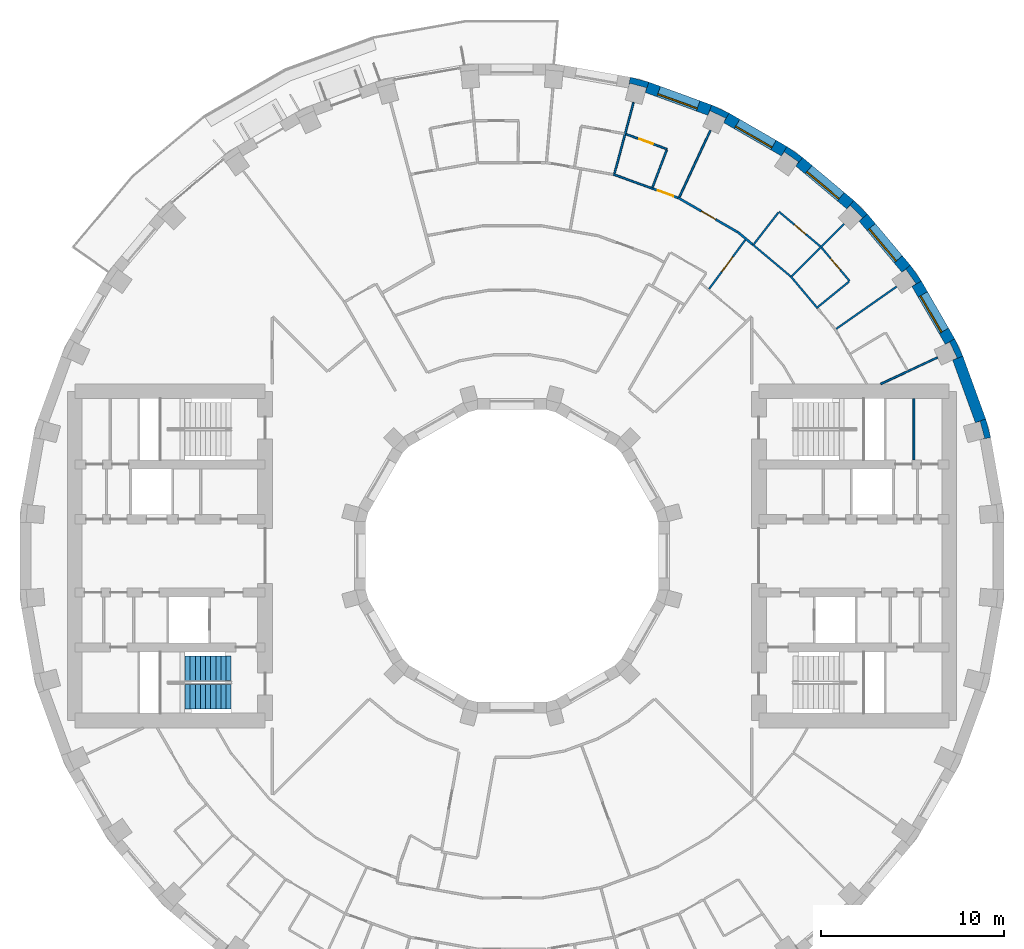
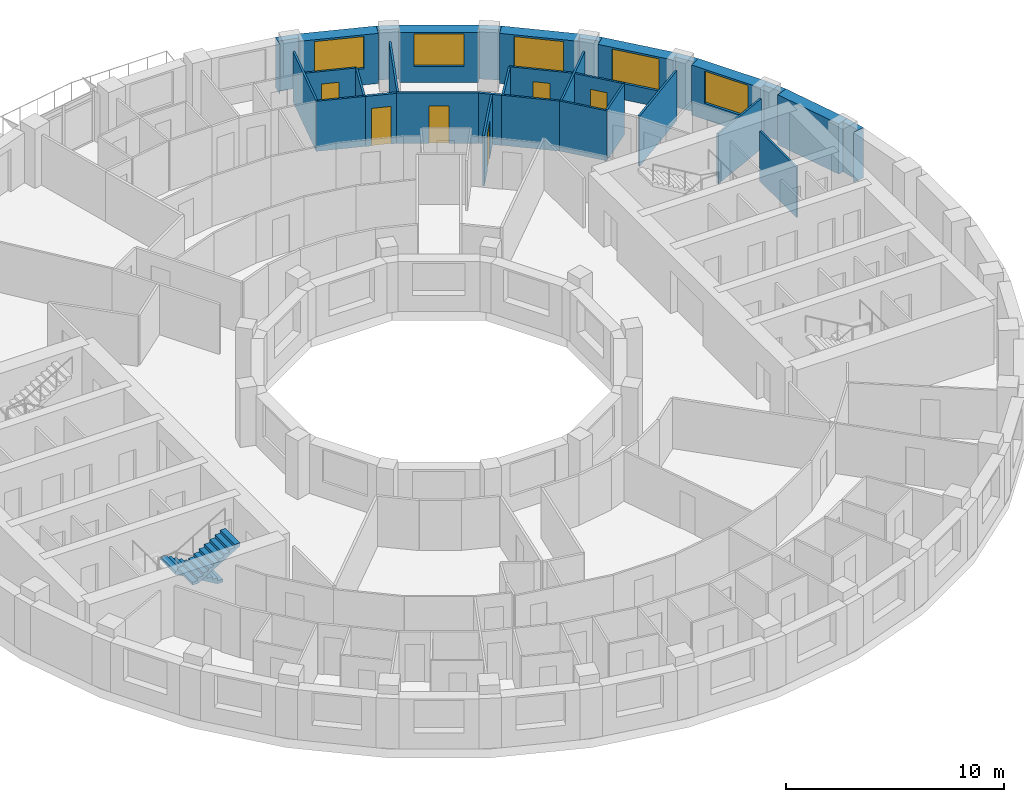
# One storey, part 12 of 14: 32 walls, 6 doors, 5 windows, 2 stair flights, 11 openings, 1 element without a shape of its own.
"""IFC4 building model written with IfcOpenShell, lengths in metres."""

from ifc_helpers import new_model, si_unit, direction, frame, frame_2d, origin, place, context, subcontext, project, spatial, polyline, rectangle, outline, extrude, material, layer, layer_set, type_object, element, fill, aggregate, save


model = new_model("IFC4")

# Units and contexts
model_context = context("Model", 3, precision=1e-05, world=origin(), true_north=direction((0.0, 1.0)))
body_context = subcontext(model_context, "Body", "Model", "MODEL_VIEW")
ifc_project = project(units=[si_unit("LENGTHUNIT", "METRE"), si_unit("AREAUNIT", "SQUARE_METRE"), si_unit("VOLUMEUNIT", "CUBIC_METRE"), si_unit("PLANEANGLEUNIT", "RADIAN"), si_unit("MASSUNIT", "GRAM", prefix="KILO")], contexts=[model_context])

# Site, building, storey
site_placement = place(None, origin())
site = spatial("IfcSite", under=ifc_project, at=site_placement, CompositionType="ELEMENT")
building_placement = place(site_placement, origin())
building = spatial("IfcBuilding", under=site, at=building_placement, Name="Saqina Gate Tower", CompositionType="ELEMENT")
storey_placement = place(building_placement, frame((0.0, 0.0, 91.89990234375)))
storey = spatial("IfcBuildingStorey", under=building, at=storey_placement, Name="L25", CompositionType="ELEMENT", Elevation=91.89990234375)

# Walls
ifc_material_1 = material(Name="Brick masonry (buff)", Category="masonry")
wall_type_1 = type_object("IfcWallType", Name="BRICK PIER COPING BUFF", PredefinedType="SOLIDWALL", material=ifc_material_1)
wall_1_placement = place(storey_placement, origin())
element("IfcWall", 1, at=wall_1_placement, inside=storey, type_object=wall_type_1, Name="Pier cap L25 column 2", PredefinedType="SOLIDWALL", context=body_context, shape_type="SweptSolid", body=[
    extrude(outline(polyline([(26.171875, 6.466796875), (25.89892578125, 7.485595703125), (25.335205078125, 7.2802734375), (25.5947265625, 7.349853515625), (25.8408203125, 6.43212890625), (25.5810546875, 6.36279296875), (26.171875, 6.466796875)])), origin(), (0.0, 0.0, 1.0), 2.800048828125),
])
wall_2_placement = place(storey_placement, origin())
element("IfcWall", 2, at=wall_2_placement, inside=storey, type_object=wall_type_1, Name="Pier cap L25 column 3", PredefinedType="SOLIDWALL", context=body_context, shape_type="SweptSolid", body=[
    extrude(outline(polyline([(24.6513671875, 10.913330078125), (24.205810546875, 11.869140625), (23.68603515625, 11.569091796875), (23.9296875, 11.6826171875), (24.331298828125, 10.82177734375), (24.08740234375, 10.7080078125), (24.6513671875, 10.913330078125)])), origin(), (0.0, 0.0, 1.0), 2.800048828125),
])
wall_3_placement = place(storey_placement, origin())
element("IfcWall", 3, at=wall_3_placement, inside=storey, type_object=wall_type_1, Name="Pier cap L25 column 4", PredefinedType="SOLIDWALL", context=body_context, shape_type="SweptSolid", body=[
    extrude(outline(polyline([(21.77685546875, 15.89208984375), (21.317138671875, 15.50634765625), (21.53759765625, 15.66064453125), (22.08251953125, 14.88232421875), (21.862060546875, 14.728271484375), (22.3818359375, 15.0283203125), (21.77685546875, 15.89208984375)])), origin(), (0.0, 0.0, 1.0), 2.800048828125),
])
wall_4_placement = place(storey_placement, origin())
element("IfcWall", 4, at=wall_4_placement, inside=storey, type_object=wall_type_1, Name="Pier cap L25 column 5", PredefinedType="SOLIDWALL", context=body_context, shape_type="SweptSolid", body=[
    extrude(outline(polyline([(19.43212890625, 18.686279296875), (18.686279296875, 19.43212890625), (18.30078125, 18.972412109375), (18.49072265625, 19.16259765625), (19.16259765625, 18.49072265625), (18.972412109375, 18.30078125), (19.43212890625, 18.686279296875)])), origin(), (0.0, 0.0, 1.0), 2.800048828125),
])
wall_5_placement = place(storey_placement, origin())
element("IfcWall", 5, at=wall_5_placement, inside=storey, type_object=wall_type_1, Name="Pier cap L25 column 6", PredefinedType="SOLIDWALL", context=body_context, shape_type="SweptSolid", body=[
    extrude(outline(polyline([(15.0283203125, 22.3818359375), (14.728271484375, 21.862060546875), (14.88232421875, 22.08251953125), (15.66064453125, 21.53759765625), (15.50634765625, 21.317138671875), (15.89208984375, 21.77685546875), (15.0283203125, 22.3818359375)])), origin(), (0.0, 0.0, 1.0), 2.800048828125),
])
wall_6_placement = place(storey_placement, origin())
element("IfcWall", 6, at=wall_6_placement, inside=storey, type_object=wall_type_1, Name="Pier cap L25 column 7", PredefinedType="SOLIDWALL", context=body_context, shape_type="SweptSolid", body=[
    extrude(outline(polyline([(10.913330078125, 24.6513671875), (10.7080078125, 24.08740234375), (10.82177734375, 24.331298828125), (11.6826171875, 23.9296875), (11.569091796875, 23.68603515625), (11.869140625, 24.205810546875), (10.913330078125, 24.6513671875)])), origin(), (0.0, 0.0, 1.0), 2.800048828125),
])
wall_7_placement = place(storey_placement, origin())
element("IfcWall", 7, at=wall_7_placement, inside=storey, type_object=wall_type_1, Name="Pier cap L25 column 8", PredefinedType="SOLIDWALL", context=body_context, shape_type="SweptSolid", body=[
    extrude(outline(polyline([(7.485595703125, 25.89892578125), (6.466796875, 26.171875), (6.36279296875, 25.5810546875), (6.43212890625, 25.8408203125), (7.349853515625, 25.5947265625), (7.2802734375, 25.335205078125), (7.485595703125, 25.89892578125)])), origin(), (0.0, 0.0, 1.0), 2.800048828125),
])
ifc_material_2 = material(Name="Gypsum board on steel studs", Category="steel")
ifc_layer_1 = layer(ifc_material_2, 0.10009765625)
ifc_layer_set_1 = layer_set([ifc_layer_1], Name="CORE PARTITION")
wall_type_2 = type_object("IfcWallType", Name="CORE PARTITION", PredefinedType="PARTITIONING", material=ifc_layer_set_1)
wall_8_placement = place(storey_placement, frame((21.969970703125, 5.25, 0.0), z_axis=(0.0, 0.0, 1.0), x_axis=(0.0, 1.0, 0.0)))
element("IfcWall", 8, at=wall_8_placement, inside=storey, type_object=wall_type_2, Name="L25-CP-E10", PredefinedType="PARTITIONING", context=body_context, shape_type="SweptSolid", body=[
    extrude(rectangle(XDim=3.35009765625, YDim=0.10009765625, at=frame_2d((1.675048828125, 0.0))), origin(), (0.0, 0.0, 1.0), 2.800048828125),
])

# Wall, opening, window
ifc_material_3 = material(Name="Brick masonry (buff)", Category="masonry")
ifc_layer_2 = layer(ifc_material_3, 0.60009765625)
ifc_layer_set_2 = layer_set([ifc_layer_2], Name="FW-BRICK-BUFF")
wall_type_3 = type_object("IfcWallType", Name="FW-BRICK-BUFF", PredefinedType="SOLIDWALL", material=ifc_layer_set_2)
wall_9_placement = place(storey_placement, frame((23.94580078125, 11.718994140625, 0.0), z_axis=(0.0, 0.0, 1.0), x_axis=(-0.499954196102, 0.866051847062, 0.0)))
wall_9 = element("IfcWall", 9, at=wall_9_placement, inside=storey, type_object=wall_type_3, Name="Facade wall L25 facet 3", PredefinedType="SOLIDWALL", context=body_context, shape_type="SweptSolid", body=[
    extrude(rectangle(XDim=3.647705078125, YDim=0.60009765625, at=frame_2d((1.82373046875, 0.0))), origin(), (0.0, 0.0, 1.0), 2.800048828125),
])
opening_1_placement = place(wall_9_placement, frame((0.673828125, 0.0, 0.89990234375)))
opening_1 = element("IfcOpeningElement", 10, at=opening_1_placement, cuts=wall_9, Name="Opening G07-W01", PredefinedType="OPENING", context=body_context, shape_type="SweptSolid", body=[
    extrude(rectangle(XDim=2.300048828125, YDim=1.800048828125, at=frame_2d((1.14990234375, 0.89990234375))), frame((0.0, 0.31201171875, 0.0), z_axis=(0.0, -1.0, 0.0), x_axis=(1.0, 0.0, 0.0)), (0.0, 0.0, 1.0), 0.6240234375),
])
ifc_material_4 = material(Name="Aluminium glazing", Category="aluminium")
window_type = type_object("IfcWindowType", Name="WN-B", PartitioningType="SINGLE_PANEL", PredefinedType="WINDOW", material=ifc_material_4)
window_1_placement = place(opening_1_placement, origin())
window_1 = element("IfcWindow", 11, at=window_1_placement, inside=storey, type_object=window_type, Name="Window L25 facet 3", OverallHeight=1.800048828125, OverallWidth=2.300048828125, PartitioningType="SINGLE_PANEL", PredefinedType="WINDOW", context=body_context, shape_type="SweptSolid", body=[
    extrude(rectangle(XDim=2.300048828125, YDim=1.800048828125, at=frame_2d((1.14990234375, 0.89990234375))), frame((0.0, 0.179931640625, 0.0), z_axis=(0.0, -1.0, 0.0), x_axis=(1.0, 0.0, 0.0)), (0.0, 0.0, 1.0), 0.06005859375),
])
fill(opening_1, window_1)

wall_10_placement = place(storey_placement, frame((21.547119140625, 15.69921875, 0.0), z_axis=(0.0, 0.0, 1.0), x_axis=(-0.642774476932, 0.766055462616, 0.0)))
wall_10 = element("IfcWall", 12, at=wall_10_placement, inside=storey, type_object=wall_type_3, Name="Facade wall L25 facet 4", PredefinedType="SOLIDWALL", context=body_context, shape_type="SweptSolid", body=[
    extrude(rectangle(XDim=3.647705078125, YDim=0.60009765625, at=frame_2d((1.82373046875, 0.0))), origin(), (0.0, 0.0, 1.0), 2.800048828125),
])
opening_2_placement = place(wall_10_placement, frame((0.673828125, 0.0, 0.89990234375)))
opening_2 = element("IfcOpeningElement", 13, at=opening_2_placement, cuts=wall_10, Name="Opening G07-W02", PredefinedType="OPENING", context=body_context, shape_type="SweptSolid", body=[
    extrude(rectangle(XDim=2.300048828125, YDim=1.800048828125, at=frame_2d((1.14990234375, 0.89990234375))), frame((0.0, 0.31201171875, 0.0), z_axis=(0.0, -1.0, 0.0), x_axis=(1.0, 0.0, 0.0)), (0.0, 0.0, 1.0), 0.6240234375),
])
window_2_placement = place(opening_2_placement, origin())
window_2 = element("IfcWindow", 14, at=window_2_placement, inside=storey, type_object=window_type, Name="Window L25 facet 4", OverallHeight=1.800048828125, OverallWidth=2.300048828125, PartitioningType="SINGLE_PANEL", PredefinedType="WINDOW", context=body_context, shape_type="SweptSolid", body=[
    extrude(rectangle(XDim=2.300048828125, YDim=1.800048828125, at=frame_2d((1.14990234375, 0.89990234375))), frame((0.0, 0.179931640625, 0.0), z_axis=(0.0, -1.0, 0.0), x_axis=(1.0, 0.0, 0.0)), (0.0, 0.0, 1.0), 0.06005859375),
])
fill(opening_2, window_2)

wall_11_placement = place(storey_placement, frame((18.49365234375, 19.202392578125, 0.0), z_axis=(0.0, 0.0, 1.0), x_axis=(-0.766055462616, 0.642774476932, 0.0)))
wall_11 = element("IfcWall", 15, at=wall_11_placement, inside=storey, type_object=wall_type_3, Name="Facade wall L25 facet 5", PredefinedType="SOLIDWALL", context=body_context, shape_type="SweptSolid", body=[
    extrude(rectangle(XDim=3.647705078125, YDim=0.60009765625, at=frame_2d((1.82373046875, 0.0))), origin(), (0.0, 0.0, 1.0), 2.800048828125),
])
opening_3_placement = place(wall_11_placement, frame((0.673828125, 0.0, 0.89990234375)))
opening_3 = element("IfcOpeningElement", 16, at=opening_3_placement, cuts=wall_11, Name="Opening G07-W03", PredefinedType="OPENING", context=body_context, shape_type="SweptSolid", body=[
    extrude(rectangle(XDim=2.300048828125, YDim=1.800048828125, at=frame_2d((1.14990234375, 0.89990234375))), frame((0.0, 0.31201171875, 0.0), z_axis=(0.0, -1.0, 0.0), x_axis=(1.0, 0.0, 0.0)), (0.0, 0.0, 1.0), 0.6240234375),
])
window_3_placement = place(opening_3_placement, origin())
window_3 = element("IfcWindow", 17, at=window_3_placement, inside=storey, type_object=window_type, Name="Window L25 facet 5", OverallHeight=1.800048828125, OverallWidth=2.300048828125, PartitioningType="SINGLE_PANEL", PredefinedType="WINDOW", context=body_context, shape_type="SweptSolid", body=[
    extrude(rectangle(XDim=2.300048828125, YDim=1.800048828125, at=frame_2d((1.14990234375, 0.89990234375))), frame((0.0, 0.179931640625, 0.0), z_axis=(0.0, -1.0, 0.0), x_axis=(1.0, 0.0, 0.0)), (0.0, 0.0, 1.0), 0.06005859375),
])
fill(opening_3, window_3)

wall_12_placement = place(storey_placement, frame((14.878173828125, 22.1220703125, 0.0), z_axis=(0.0, 0.0, 1.0), x_axis=(-0.866051847062, 0.499954196102, 0.0)))
wall_12 = element("IfcWall", 18, at=wall_12_placement, inside=storey, type_object=wall_type_3, Name="Facade wall L25 facet 6", PredefinedType="SOLIDWALL", context=body_context, shape_type="SweptSolid", body=[
    extrude(rectangle(XDim=3.647705078125, YDim=0.60009765625, at=frame_2d((1.82373046875, 0.0))), origin(), (0.0, 0.0, 1.0), 2.800048828125),
])
opening_4_placement = place(wall_12_placement, frame((0.673828125, 0.0, 0.89990234375)))
opening_4 = element("IfcOpeningElement", 19, at=opening_4_placement, cuts=wall_12, Name="Opening G07-W04", PredefinedType="OPENING", context=body_context, shape_type="SweptSolid", body=[
    extrude(rectangle(XDim=2.300048828125, YDim=1.800048828125, at=frame_2d((1.14990234375, 0.89990234375))), frame((0.0, 0.31201171875, 0.0), z_axis=(0.0, -1.0, 0.0), x_axis=(1.0, 0.0, 0.0)), (0.0, 0.0, 1.0), 0.6240234375),
])
window_4_placement = place(opening_4_placement, origin())
window_4 = element("IfcWindow", 20, at=window_4_placement, inside=storey, type_object=window_type, Name="Window L25 facet 6", OverallHeight=1.800048828125, OverallWidth=2.300048828125, PartitioningType="SINGLE_PANEL", PredefinedType="WINDOW", context=body_context, shape_type="SweptSolid", body=[
    extrude(rectangle(XDim=2.300048828125, YDim=1.800048828125, at=frame_2d((1.14990234375, 0.89990234375))), frame((0.0, 0.179931640625, 0.0), z_axis=(0.0, -1.0, 0.0), x_axis=(1.0, 0.0, 0.0)), (0.0, 0.0, 1.0), 0.06005859375),
])
fill(opening_4, window_4)

wall_13_placement = place(storey_placement, frame((10.810791015625, 24.369384765625, 0.0), z_axis=(0.0, 0.0, 1.0), x_axis=(-0.939703505393, 0.341990236633, 0.0)))
wall_13 = element("IfcWall", 21, at=wall_13_placement, inside=storey, type_object=wall_type_3, Name="Facade wall L25 facet 7", PredefinedType="SOLIDWALL", context=body_context, shape_type="SweptSolid", body=[
    extrude(rectangle(XDim=3.64794921875, YDim=0.60009765625, at=frame_2d((1.823974609375, 0.0))), origin(), (0.0, 0.0, 1.0), 2.800048828125),
])
opening_5_placement = place(wall_13_placement, frame((0.673828125, 0.0, 0.89990234375)))
opening_5 = element("IfcOpeningElement", 22, at=opening_5_placement, cuts=wall_13, Name="Opening G07-W05", PredefinedType="OPENING", context=body_context, shape_type="SweptSolid", body=[
    extrude(rectangle(XDim=2.300048828125, YDim=1.800048828125, at=frame_2d((1.14990234375, 0.89990234375))), frame((0.0, 0.31201171875, 0.0), z_axis=(0.0, -1.0, 0.0), x_axis=(1.0, 0.0, 0.0)), (0.0, 0.0, 1.0), 0.6240234375),
])
window_5_placement = place(opening_5_placement, origin())
window_5 = element("IfcWindow", 23, at=window_5_placement, inside=storey, type_object=window_type, Name="Window L25 facet 7", OverallHeight=1.800048828125, OverallWidth=2.300048828125, PartitioningType="SINGLE_PANEL", PredefinedType="WINDOW", context=body_context, shape_type="SweptSolid", body=[
    extrude(rectangle(XDim=2.300048828125, YDim=1.800048828125, at=frame_2d((1.14990234375, 0.89990234375))), frame((0.0, 0.179931640625, 0.0), z_axis=(0.0, -1.0, 0.0), x_axis=(1.0, 0.0, 0.0)), (0.0, 0.0, 1.0), 0.06005859375),
])
fill(opening_5, window_5)

# Walls
ifc_material_5 = material(Name="Glazed ceramic tile", Category="ceramic")
ifc_layer_3 = layer(ifc_material_5, 0.60009765625)
ifc_layer_set_3 = layer_set([ifc_layer_3], Name="FW-TILE")
wall_type_4 = type_object("IfcWallType", Name="FW-TILE", PredefinedType="SOLIDWALL", material=ifc_layer_set_3)
wall_14_placement = place(storey_placement, frame((25.616943359375, 7.3828125, 0.0), z_axis=(0.0, 0.0, 1.0), x_axis=(-0.341990236633, 0.939703505393, 0.0)))
element("IfcWall", 24, at=wall_14_placement, inside=storey, type_object=wall_type_4, Name="Facade wall L25 facet 2", PredefinedType="SOLIDWALL", context=body_context, shape_type="SweptSolid", body=[
    extrude(rectangle(XDim=3.64794921875, YDim=0.60009765625, at=frame_2d((1.823974609375, 0.0))), origin(), (0.0, 0.0, 1.0), 2.800048828125),
])
ifc_material_6 = material(Name="Gypsum board on steel studs, 100 mm", Category="steel")
ifc_layer_4 = layer(ifc_material_6, 0.10009765625)
ifc_layer_set_4 = layer_set([ifc_layer_4], Name="PARTITION 100")
wall_type_5 = type_object("IfcWallType", Name="PARTITION 100", PredefinedType="PARTITIONING", material=ifc_layer_set_4)
wall_15_placement = place(storey_placement, frame((15.2255859375, 15.298828125, 0.0), z_axis=(0.0, 0.0, 1.0), x_axis=(0.642762571273, -0.766065452145, 0.0)))
element("IfcWall", 25, at=wall_15_placement, inside=storey, type_object=wall_type_5, Name="PARTITION PW3-20", PredefinedType="PARTITIONING", context=body_context, shape_type="SweptSolid", body=[
    extrude(rectangle(XDim=2.306640625, YDim=0.10009765625, at=frame_2d((1.1533203125, 0.0))), origin(), (0.0, 0.0, 1.0), 2.800048828125),
])

# Wall, opening, door
wall_16_placement = place(storey_placement, frame((16.923095703125, 16.852783203125, 0.0), z_axis=(0.0, 0.0, 1.0), x_axis=(0.642942941421, -0.765914077477, 0.0)))
wall_16 = element("IfcWall", 26, at=wall_16_placement, inside=storey, type_object=wall_type_5, Name="PARTITION PW3-21", PredefinedType="PARTITIONING", context=body_context, shape_type="SweptSolid", body=[
    extrude(rectangle(XDim=2.390380859375, YDim=0.10009765625, at=frame_2d((1.1953125, 0.0))), origin(), (0.0, 0.0, 1.0), 2.800048828125),
])
opening_6_placement = place(wall_16_placement, frame((0.77001953125, 0.0, 0.0)))
opening_6 = element("IfcOpeningElement", 27, at=opening_6_placement, cuts=wall_16, Name="Opening G07-D04", PredefinedType="OPENING", context=body_context, shape_type="SweptSolid", body=[
    extrude(rectangle(XDim=0.800048828125, YDim=2.10009765625, at=frame_2d((0.39990234375, 1.050048828125))), frame((0.0, 0.06201171875, 0.0), z_axis=(0.0, -1.0, 0.0), x_axis=(1.0, 0.0, 0.0)), (0.0, 0.0, 1.0), 0.1240234375),
])
ifc_material_7 = material(Name="Timber door leaf, 800 mm", Category="wood")
door_type_1 = type_object("IfcDoorType", Name="DOOR 800 TIMBER", OperationType="SINGLE_SWING_LEFT", PredefinedType="DOOR", material=ifc_material_7)
door_1_placement = place(opening_6_placement, origin())
door_1 = element("IfcDoor", 28, at=door_1_placement, inside=storey, type_object=door_type_1, Name="DOOR G07-D04", OperationType="SINGLE_SWING_LEFT", OverallHeight=2.10009765625, OverallWidth=0.800048828125, PredefinedType="DOOR", context=body_context, shape_type="SweptSolid", body=[
    extrude(rectangle(XDim=0.800048828125, YDim=2.10009765625, at=frame_2d((0.39990234375, 1.050048828125))), frame((0.0, 0.02490234375, 0.0), z_axis=(0.0, -1.0, 0.0), x_axis=(1.0, 0.0, 0.0)), (0.0, 0.0, 1.0), 0.050048828125),
])
fill(opening_6, door_1)

# Wall
wall_17_placement = place(storey_placement, frame((13.148681640625, 17.030029296875, 0.0), z_axis=(0.0, 0.0, 1.0), x_axis=(0.766003631775, -0.642836243617, 0.0)))
element("IfcWall", 29, at=wall_17_placement, inside=storey, type_object=wall_type_5, Name="PARTITION PW3-27", PredefinedType="PARTITIONING", context=body_context, shape_type="SweptSolid", body=[
    extrude(rectangle(XDim=2.70361328125, YDim=0.10009765625, at=frame_2d((1.351806640625, 0.0))), origin(), (0.0, 0.0, 1.0), 2.800048828125),
])

# Wall, opening, door
wall_18_placement = place(storey_placement, frame((14.596923828125, 18.81591796875, 0.0), z_axis=(0.0, 0.0, 1.0), x_axis=(0.766055897741, -0.642773958353, 0.0)))
wall_18 = element("IfcWall", 30, at=wall_18_placement, inside=storey, type_object=wall_type_5, Name="PARTITION PW3-28", PredefinedType="PARTITIONING", context=body_context, shape_type="SweptSolid", body=[
    extrude(rectangle(XDim=2.94482421875, YDim=0.10009765625, at=frame_2d((1.472412109375, 0.0))), origin(), (0.0, 0.0, 1.0), 2.800048828125),
])
opening_7_placement = place(wall_18_placement, frame((1.097412109375, 0.0, 0.0)))
opening_7 = element("IfcOpeningElement", 31, at=opening_7_placement, cuts=wall_18, Name="Opening G07-D05", PredefinedType="OPENING", context=body_context, shape_type="SweptSolid", body=[
    extrude(rectangle(XDim=0.800048828125, YDim=2.10009765625, at=frame_2d((0.39990234375, 1.050048828125))), frame((0.0, 0.06201171875, 0.0), z_axis=(0.0, -1.0, 0.0), x_axis=(1.0, 0.0, 0.0)), (0.0, 0.0, 1.0), 0.1240234375),
])
door_2_placement = place(opening_7_placement, origin())
door_2 = element("IfcDoor", 32, at=door_2_placement, inside=storey, type_object=door_type_1, Name="DOOR G07-D05", OperationType="SINGLE_SWING_RIGHT", OverallHeight=2.10009765625, OverallWidth=0.800048828125, PredefinedType="DOOR", context=body_context, shape_type="SweptSolid", body=[
    extrude(rectangle(XDim=0.800048828125, YDim=2.10009765625, at=frame_2d((0.39990234375, 1.050048828125))), frame((0.0, 0.02490234375, 0.0), z_axis=(0.0, -1.0, 0.0), x_axis=(1.0, 0.0, 0.0)), (0.0, 0.0, 1.0), 0.050048828125),
])
fill(opening_7, door_2)

# Wall
wall_19_placement = place(storey_placement, frame((5.537353515625, 20.861328125, 0.0), z_axis=(0.0, 0.0, 1.0), x_axis=(0.939734670151, -0.34190459154, 0.0)))
element("IfcWall", 33, at=wall_19_placement, inside=storey, type_object=wall_type_5, Name="PARTITION PW3-41", PredefinedType="PARTITIONING", context=body_context, shape_type="SweptSolid", body=[
    extrude(rectangle(XDim=2.3056640625, YDim=0.10009765625, at=frame_2d((1.15283203125, 0.0))), origin(), (0.0, 0.0, 1.0), 2.800048828125),
])

# Wall, opening, door
wall_20_placement = place(storey_placement, frame((6.22998046875, 23.056884765625, 0.0), z_axis=(0.0, 0.0, 1.0), x_axis=(0.939644231496, -0.342153062556, 0.0)))
wall_20 = element("IfcWall", 34, at=wall_20_placement, inside=storey, type_object=wall_type_5, Name="PARTITION PW3-42", PredefinedType="PARTITIONING", context=body_context, shape_type="SweptSolid", body=[
    extrude(rectangle(XDim=2.390380859375, YDim=0.10009765625, at=frame_2d((1.1953125, 0.0))), origin(), (0.0, 0.0, 1.0), 2.800048828125),
])
opening_8_placement = place(wall_20_placement, frame((0.770263671875, 0.0, 0.0)))
opening_8 = element("IfcOpeningElement", 35, at=opening_8_placement, cuts=wall_20, Name="Opening G07-D12", PredefinedType="OPENING", context=body_context, shape_type="SweptSolid", body=[
    extrude(rectangle(XDim=0.800048828125, YDim=2.10009765625, at=frame_2d((0.39990234375, 1.050048828125))), frame((0.0, 0.06201171875, 0.0), z_axis=(0.0, -1.0, 0.0), x_axis=(1.0, 0.0, 0.0)), (0.0, 0.0, 1.0), 0.1240234375),
])
door_3_placement = place(opening_8_placement, origin())
door_3 = element("IfcDoor", 36, at=door_3_placement, inside=storey, type_object=door_type_1, Name="DOOR G07-D12", OperationType="SINGLE_SWING_LEFT", OverallHeight=2.10009765625, OverallWidth=0.800048828125, PredefinedType="DOOR", context=body_context, shape_type="SweptSolid", body=[
    extrude(rectangle(XDim=0.800048828125, YDim=2.10009765625, at=frame_2d((0.39990234375, 1.050048828125))), frame((0.0, 0.02490234375, 0.0), z_axis=(0.0, -1.0, 0.0), x_axis=(1.0, 0.0, 0.0)), (0.0, 0.0, 1.0), 0.050048828125),
])
fill(opening_8, door_3)

# Walls
wall_21_placement = place(storey_placement, frame((20.157958984375, 9.39990234375, 0.0), z_axis=(0.0, 0.0, 1.0), x_axis=(0.906223222272, 0.422799564114, 0.0)))
element("IfcWall", 37, at=wall_21_placement, inside=storey, type_object=wall_type_5, Name="PARTITION PW3-69", PredefinedType="PARTITIONING", context=body_context, shape_type="SweptSolid", body=[
    extrude(rectangle(XDim=3.423095703125, YDim=0.10009765625, at=frame_2d((1.71142578125, 0.0))), origin(), (0.0, 0.0, 1.0), 2.800048828125),
])
wall_22_placement = place(storey_placement, frame((17.728271484375, 12.412841796875, 0.0), z_axis=(0.0, 0.0, 1.0), x_axis=(0.819106461113, 0.573641530368, 0.0)))
element("IfcWall", 38, at=wall_22_placement, inside=storey, type_object=wall_type_5, Name="PARTITION PW3-75", PredefinedType="PARTITIONING", context=body_context, shape_type="SweptSolid", body=[
    extrude(rectangle(XDim=4.023193359375, YDim=0.10009765625, at=frame_2d((2.01171875, 0.0))), origin(), (0.0, 0.0, 1.0), 2.800048828125),
])
wall_23_placement = place(storey_placement, frame((16.724365234375, 13.609375, 0.0), z_axis=(0.0, 0.0, 1.0), x_axis=(0.77556073315, 0.631272959342, 0.0)))
element("IfcWall", 39, at=wall_23_placement, inside=storey, type_object=wall_type_5, Name="PARTITION PW3-77", PredefinedType="PARTITIONING", context=body_context, shape_type="SweptSolid", body=[
    extrude(rectangle(XDim=2.187744140625, YDim=0.10009765625, at=frame_2d((1.09375, 0.0))), origin(), (0.0, 0.0, 1.0), 2.800048828125),
])
wall_24_placement = place(storey_placement, frame((15.29443359375, 15.29443359375, 0.0), z_axis=(0.0, 0.0, 1.0), x_axis=(0.707106781187, 0.707106781187, 0.0)))
element("IfcWall", 40, at=wall_24_placement, inside=storey, type_object=wall_type_5, Name="PARTITION PW3-80", PredefinedType="PARTITIONING", context=body_context, shape_type="SweptSolid", body=[
    extrude(rectangle(XDim=4.035400390625, YDim=0.10009765625, at=frame_2d((2.017578125, 0.0))), origin(), (0.0, 0.0, 1.0), 2.800048828125),
])
wall_25_placement = place(storey_placement, frame((13.225341796875, 17.04736328125, 0.0), z_axis=(0.0, 0.0, 1.0), x_axis=(0.612827784587, 0.790216493398, 0.0)))
element("IfcWall", 41, at=wall_25_placement, inside=storey, type_object=wall_type_5, Name="PARTITION PW3-83", PredefinedType="PARTITIONING", context=body_context, shape_type="SweptSolid", body=[
    extrude(rectangle(XDim=2.188232421875, YDim=0.10009765625, at=frame_2d((1.09423828125, 0.0))), origin(), (0.0, 0.0, 1.0), 2.800048828125),
])

# Wall, opening, door
wall_26_placement = place(storey_placement, frame((10.772705078125, 14.59130859375, 0.0), z_axis=(0.0, 0.0, 1.0), x_axis=(0.593899624956, 0.804539144776, 0.0)))
wall_26 = element("IfcWall", 42, at=wall_26_placement, inside=storey, type_object=wall_type_5, Name="PARTITION PW3-84", PredefinedType="PARTITIONING", context=body_context, shape_type="SweptSolid", body=[
    extrude(rectangle(XDim=3.339111328125, YDim=0.10009765625, at=frame_2d((1.66943359375, 0.0))), origin(), (0.0, 0.0, 1.0), 2.800048828125),
])
opening_9_placement = place(wall_26_placement, frame((1.17578125, 0.0, 0.0)))
opening_9 = element("IfcOpeningElement", 43, at=opening_9_placement, cuts=wall_26, Name="Opening G07-D07", PredefinedType="OPENING", context=body_context, shape_type="SweptSolid", body=[
    extrude(rectangle(XDim=1.0, YDim=2.10009765625, at=frame_2d((0.5, 1.050048828125))), frame((0.0, 0.06201171875, 0.0), z_axis=(0.0, -1.0, 0.0), x_axis=(1.0, 0.0, 0.0)), (0.0, 0.0, 1.0), 0.1240234375),
])
ifc_material_8 = material(Name="Timber door leaf, 1000 mm", Category="wood")
door_type_2 = type_object("IfcDoorType", Name="DOOR 1000 TIMBER", OperationType="SINGLE_SWING_LEFT", PredefinedType="DOOR", material=ifc_material_8)
door_4_placement = place(opening_9_placement, frame((1.0, 0.0, 0.0), z_axis=(0.0, 0.0, 1.0), x_axis=(-1.0, 0.0, 0.0)))
door_4 = element("IfcDoor", 44, at=door_4_placement, inside=storey, type_object=door_type_2, Name="DOOR G07-D07", OperationType="SINGLE_SWING_LEFT", OverallHeight=2.10009765625, OverallWidth=1.0, PredefinedType="DOOR", context=body_context, shape_type="SweptSolid", body=[
    extrude(rectangle(XDim=1.0, YDim=2.10009765625, at=frame_2d((0.5, 1.050048828125))), frame((0.0, 0.02490234375, 0.0), z_axis=(0.0, -1.0, 0.0), x_axis=(1.0, 0.0, 0.0)), (0.0, 0.0, 1.0), 0.050048828125),
])
fill(opening_9, door_4)

# Walls
wall_27_placement = place(storey_placement, frame((9.146484375, 19.61474609375, 0.0), z_axis=(0.0, 0.0, 1.0), x_axis=(0.422622950513, 0.906305600612, 0.0)))
element("IfcWall", 45, at=wall_27_placement, inside=storey, type_object=wall_type_5, Name="PARTITION PW3-91", PredefinedType="PARTITIONING", context=body_context, shape_type="SweptSolid", body=[
    extrude(rectangle(XDim=4.0224609375, YDim=0.10009765625, at=frame_2d((2.01123046875, 0.0))), origin(), (0.0, 0.0, 1.0), 2.800048828125),
])
wall_28_placement = place(storey_placement, frame((7.679443359375, 20.14892578125, 0.0), z_axis=(0.0, 0.0, 1.0), x_axis=(0.356134598474, 0.93443466747, 0.0)))
element("IfcWall", 46, at=wall_28_placement, inside=storey, type_object=wall_type_5, Name="PARTITION PW3-93", PredefinedType="PARTITIONING", context=body_context, shape_type="SweptSolid", body=[
    extrude(rectangle(XDim=2.186767578125, YDim=0.10009765625, at=frame_2d((1.09326171875, 0.0))), origin(), (0.0, 0.0, 1.0), 2.800048828125),
])
wall_29_placement = place(storey_placement, frame((5.598876953125, 20.89208984375, 0.0), z_axis=(0.0, 0.0, 1.0), x_axis=(0.258615129659, 0.965980442199, 0.0)))
element("IfcWall", 47, at=wall_29_placement, inside=storey, type_object=wall_type_5, Name="PARTITION PW3-96", PredefinedType="PARTITIONING", context=body_context, shape_type="SweptSolid", body=[
    extrude(rectangle(XDim=4.03564453125, YDim=0.10009765625, at=frame_2d((2.017822265625, 0.0))), origin(), (0.0, 0.0, 1.0), 2.800048828125),
])
ifc_material_9 = material(Name="Gypsum board on steel studs, 125 mm, fire rated", Category="steel")
ifc_layer_5 = layer(ifc_material_9, 0.125)
ifc_layer_set_5 = layer_set([ifc_layer_5], Name="PARTITION EI 30 125")
wall_type_6 = type_object("IfcWallType", Name="PARTITION EI 30 125", PredefinedType="PARTITIONING", material=ifc_layer_set_5)
wall_30_placement = place(storey_placement, frame((12.328369140625, 17.7177734375, 0.0), z_axis=(0.0, 0.0, 1.0), x_axis=(0.766311067441, -0.642469725292, 0.0)))
element("IfcWall", 48, at=wall_30_placement, inside=storey, type_object=wall_type_6, Name="PARTITION PW1-14", PredefinedType="PARTITIONING", context=body_context, shape_type="SweptSolid", body=[
    extrude(rectangle(XDim=1.070556640625, YDim=0.125, at=frame_2d((0.53515625, 0.0))), origin(), (0.0, 0.0, 1.0), 2.800048828125),
])

# Wall, opening, door
wall_31_placement = place(storey_placement, frame((9.06494140625, 19.58984375, 0.0), z_axis=(0.0, 0.0, 1.0), x_axis=(0.865961876044, -0.500110017135, 0.0)))
wall_31 = element("IfcWall", 49, at=wall_31_placement, inside=storey, type_object=wall_type_6, Name="PARTITION PW1-18", PredefinedType="PARTITIONING", context=body_context, shape_type="SweptSolid", body=[
    extrude(rectangle(XDim=3.762451171875, YDim=0.125, at=frame_2d((1.88134765625, 0.0))), origin(), (0.0, 0.0, 1.0), 2.800048828125),
])
opening_10_placement = place(wall_31_placement, frame((1.493896484375, 0.0, 0.0)))
opening_10 = element("IfcOpeningElement", 50, at=opening_10_placement, cuts=wall_31, Name="Opening G07-D09", PredefinedType="OPENING", context=body_context, shape_type="SweptSolid", body=[
    extrude(rectangle(XDim=0.89990234375, YDim=2.10009765625, at=frame_2d((0.449951171875, 1.050048828125))), frame((0.0, 0.074462890625, 0.0), z_axis=(0.0, -1.0, 0.0), x_axis=(1.0, 0.0, 0.0)), (0.0, 0.0, 1.0), 0.14892578125),
])
ifc_material_10 = material(Name="Fire door leaf EI 30, 900 mm")
door_type_3 = type_object("IfcDoorType", Name="DOOR 900 EI 30", OperationType="SINGLE_SWING_LEFT", PredefinedType="DOOR", material=ifc_material_10)
door_5_placement = place(opening_10_placement, origin())
door_5 = element("IfcDoor", 51, at=door_5_placement, inside=storey, type_object=door_type_3, Name="DOOR G07-D09", OperationType="SINGLE_SWING_RIGHT", OverallHeight=2.10009765625, OverallWidth=0.89990234375, PredefinedType="DOOR", context=body_context, shape_type="SweptSolid", body=[
    extrude(rectangle(XDim=0.89990234375, YDim=2.10009765625, at=frame_2d((0.449951171875, 1.050048828125))), frame((0.0, 0.02490234375, 0.0), z_axis=(0.0, -1.0, 0.0), x_axis=(1.0, 0.0, 0.0)), (0.0, 0.0, 1.0), 0.050048828125),
])
fill(opening_10, door_5)

wall_32_placement = place(storey_placement, frame((7.7041015625, 20.072998046875, 0.0), z_axis=(0.0, 0.0, 1.0), x_axis=(0.939763804893, -0.341824503237, 0.0)))
wall_32 = element("IfcWall", 52, at=wall_32_placement, inside=storey, type_object=wall_type_6, Name="PARTITION PW1-22", PredefinedType="PARTITIONING", context=body_context, shape_type="SweptSolid", body=[
    extrude(rectangle(XDim=1.444091796875, YDim=0.125, at=frame_2d((0.72216796875, 0.0))), origin(), (0.0, 0.0, 1.0), 2.800048828125),
])
opening_11_placement = place(wall_32_placement, frame((0.2783203125, 0.0, 0.0)))
opening_11 = element("IfcOpeningElement", 53, at=opening_11_placement, cuts=wall_32, Name="Opening G07-D10", PredefinedType="OPENING", context=body_context, shape_type="SweptSolid", body=[
    extrude(rectangle(XDim=0.89990234375, YDim=2.10009765625, at=frame_2d((0.449951171875, 1.050048828125))), frame((0.0, 0.074462890625, 0.0), z_axis=(0.0, -1.0, 0.0), x_axis=(1.0, 0.0, 0.0)), (0.0, 0.0, 1.0), 0.14892578125),
])
door_6_placement = place(opening_11_placement, frame((0.89990234375, 0.0, 0.0), z_axis=(0.0, 0.0, 1.0), x_axis=(-1.0, 0.0, 0.0)))
door_6 = element("IfcDoor", 54, at=door_6_placement, inside=storey, type_object=door_type_3, Name="DOOR G07-D10", OperationType="SINGLE_SWING_LEFT", OverallHeight=2.10009765625, OverallWidth=0.89990234375, PredefinedType="DOOR", context=body_context, shape_type="SweptSolid", body=[
    extrude(rectangle(XDim=0.89990234375, YDim=2.10009765625, at=frame_2d((0.449951171875, 1.050048828125))), frame((0.0, 0.02490234375, 0.0), z_axis=(0.0, -1.0, 0.0), x_axis=(1.0, 0.0, 0.0)), (0.0, 0.0, 1.0), 0.050048828125),
])
fill(opening_11, door_6)

# Stair, stair flights
ifc_material_11 = material(Name="Concrete C40/50", Category="concrete")
stair_type = type_object("IfcStairType", Name="EXIT STAIR", PredefinedType="HALF_TURN_STAIR", material=ifc_material_11)
stair_placement = place(storey_placement, origin())
stair = element("IfcStair", 55, at=stair_placement, inside=storey, type_object=stair_type, Name="EXIT STAIR 4", PredefinedType="HALF_TURN_STAIR")
ifc_material_12 = material(Name="Concrete C40/50", Category="concrete")
stair_flight_type = type_object("IfcStairFlightType", Name="EXIT STAIR FLIGHT", PredefinedType="STRAIGHT", material=ifc_material_12)
stair_flight_1_placement = place(storey_placement, frame((-15.35009765625, -6.1416015625, 0.0), z_axis=(0.0, 0.0, 1.0), x_axis=(-1.0, 0.0, 0.0)))
stair_flight_1 = element("IfcStairFlight", 56, at=stair_flight_1_placement, type_object=stair_flight_type, Name="EXIT STAIR 4 FLIGHT 1", NumberOfRisers=10, NumberOfTreads=9, PredefinedType="STRAIGHT", RiserHeight=0.165, TreadLength=0.28, context=body_context, shape_type="SweptSolid", body=[
    extrude(outline(polyline([(0.0, 0.0), (0.0, 0.1650390625), (0.280029296875, 0.1650390625), (0.280029296875, 0.330078125), (0.56005859375, 0.330078125), (0.56005859375, 0.4951171875), (0.840087890625, 0.4951171875), (0.840087890625, 0.659912109375), (1.1201171875, 0.659912109375), (1.1201171875, 0.824951171875), (1.39990234375, 0.824951171875), (1.39990234375, 0.989990234375), (1.679931640625, 0.989990234375), (1.679931640625, 1.155029296875), (1.9599609375, 1.155029296875), (1.9599609375, 1.320068359375), (2.239990234375, 1.320068359375), (2.239990234375, 1.485107421875), (2.52001953125, 1.485107421875), (2.52001953125, 1.64990234375), (2.52001953125, 1.31103515625), (0.295166015625, 0.0), (0.0, 0.0)])), frame((0.0, 0.675048828125, 0.0), z_axis=(0.0, -1.0, 0.0), x_axis=(1.0, 0.0, 0.0)), (0.0, 0.0, 1.0), 1.35009765625),
])
stair_flight_2_placement = place(storey_placement, frame((-17.8701171875, -7.708251953125, 1.650146484375), z_axis=(0.0, 0.0, 1.0), x_axis=(1.0, 0.0, 0.0)))
stair_flight_2 = element("IfcStairFlight", 57, at=stair_flight_2_placement, type_object=stair_flight_type, Name="EXIT STAIR 4 FLIGHT 2", NumberOfRisers=10, NumberOfTreads=9, PredefinedType="STRAIGHT", RiserHeight=0.165, TreadLength=0.28, context=body_context, shape_type="SweptSolid", body=[
    extrude(outline(polyline([(0.0, 0.0), (0.0, 0.1650390625), (0.280029296875, 0.1650390625), (0.280029296875, 0.330078125), (0.56005859375, 0.330078125), (0.56005859375, 0.4951171875), (0.840087890625, 0.4951171875), (0.840087890625, 0.659912109375), (1.1201171875, 0.659912109375), (1.1201171875, 0.824951171875), (1.39990234375, 0.824951171875), (1.39990234375, 0.989990234375), (1.679931640625, 0.989990234375), (1.679931640625, 1.155029296875), (1.9599609375, 1.155029296875), (1.9599609375, 1.320068359375), (2.239990234375, 1.320068359375), (2.239990234375, 1.485107421875), (2.52001953125, 1.485107421875), (2.52001953125, 1.64990234375), (2.52001953125, 1.31103515625), (0.295166015625, 0.0), (0.0, 0.0)])), frame((0.0, 0.675048828125, 0.0), z_axis=(0.0, -1.0, 0.0), x_axis=(1.0, 0.0, 0.0)), (0.0, 0.0, 1.0), 1.35009765625),
])
aggregate(stair, [stair_flight_1, stair_flight_2])

save(model, "model.ifc")
